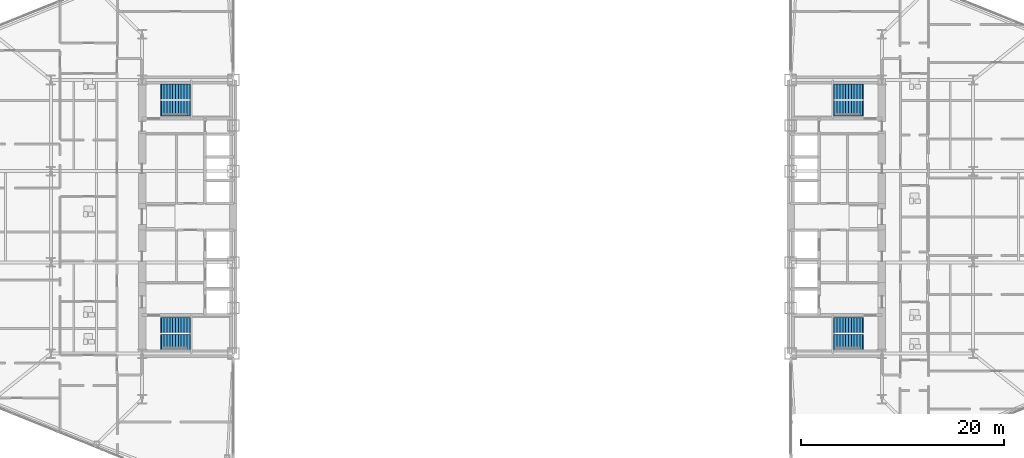
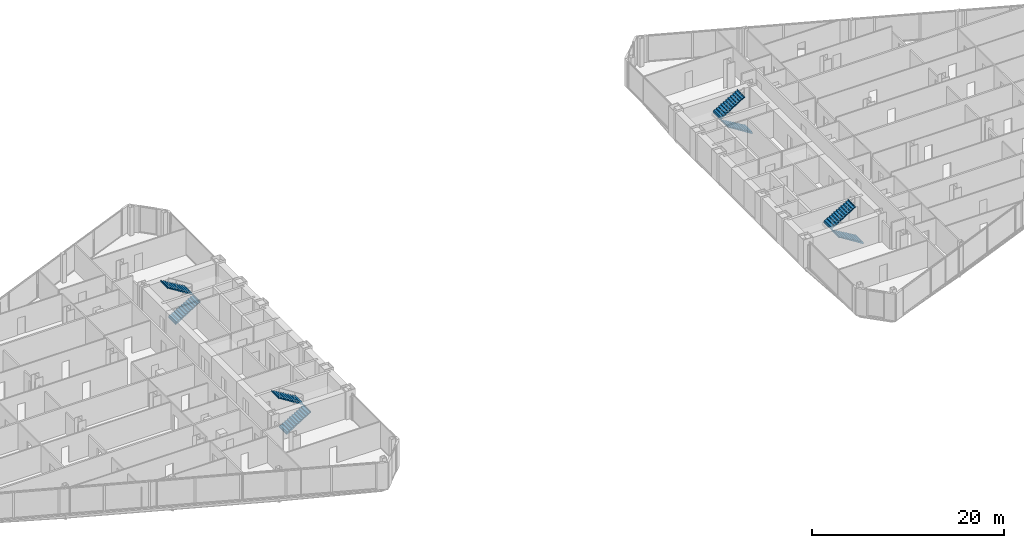
# One storey, part 23 of 25: 8 stair flights, 4 elements without a shape of their own.
"""IFC4 building model written with IfcOpenShell, lengths in metres."""

from ifc_helpers import new_model, si_unit, direction, frame, origin, place, context, subcontext, project, spatial, polyline, outline, extrude, material, type_object, element, aggregate, save


model = new_model("IFC4")

# Units and contexts
model_context = context("Model", 3, precision=1e-05, world=origin(), true_north=direction((0.0, 1.0)))
body_context = subcontext(model_context, "Body", "Model", "MODEL_VIEW")
ifc_project = project(units=[si_unit("LENGTHUNIT", "METRE"), si_unit("AREAUNIT", "SQUARE_METRE"), si_unit("VOLUMEUNIT", "CUBIC_METRE"), si_unit("PLANEANGLEUNIT", "RADIAN"), si_unit("MASSUNIT", "GRAM", prefix="KILO")], contexts=[model_context])

# Site, building, storey
site_placement = place(None, origin())
site = spatial("IfcSite", under=ifc_project, at=site_placement, CompositionType="ELEMENT")
building_placement = place(site_placement, origin())
building = spatial("IfcBuilding", under=site, at=building_placement, Name="Seokmaru Belvedere", CompositionType="ELEMENT")
storey_placement = place(building_placement, frame((0.0, 0.0, 40.5)))
storey = spatial("IfcBuildingStorey", under=building, at=storey_placement, Name="L10", CompositionType="ELEMENT", Elevation=40.5)

# Stair, stair flights
ifc_material = material(Name="Concrete C40 (40 MPa)", Category="concrete")
stair_type = type_object("IfcStairType", Name="Typical Tower Core Dog-Leg Stair 3600", PredefinedType="TWO_STRAIGHT_RUN_STAIR", material=ifc_material)
stair_1_placement = place(storey_placement, origin())
stair_1 = element("IfcStair", 1, at=stair_1_placement, inside=storey, type_object=stair_type, Name="L10 Special Escape Stair ST-W1", PredefinedType="TWO_STRAIGHT_RUN_STAIR")
stair_flight_type = type_object("IfcStairFlightType", Name="Reinforced Concrete Stair Flight 1500", PredefinedType="STRAIGHT", material=ifc_material)
stair_flight_1_placement = place(storey_placement, frame((-34.60009765625, -12.35009765625, 0.0), z_axis=(0.0, 0.0, 1.0), x_axis=(1.0, 0.0, 0.0)))
stair_flight_1 = element("IfcStairFlight", 2, at=stair_flight_1_placement, type_object=stair_flight_type, Name="ST-W1 flight 1", NumberOfRisers=11, NumberOfTreads=10, PredefinedType="STRAIGHT", RiserHeight=0.163636364, TreadLength=0.28, context=body_context, shape_type="SweptSolid", body=[
    extrude(outline(polyline([(-0.080078125, 0.0), (0.0, 0.16357421875), (0.280029296875, 0.16357421875), (0.280029296875, 0.327392578125), (0.56005859375, 0.327392578125), (0.56005859375, 0.490966796875), (0.840087890625, 0.490966796875), (0.840087890625, 0.654541015625), (1.1201171875, 0.654541015625), (1.1201171875, 0.818115234375), (1.39990234375, 0.818115234375), (1.39990234375, 0.98193359375), (1.679931640625, 0.98193359375), (1.679931640625, 1.1455078125), (1.9599609375, 1.1455078125), (1.9599609375, 1.30908203125), (2.239990234375, 1.30908203125), (2.239990234375, 1.47265625), (2.52001953125, 1.47265625), (2.52001953125, 1.636474609375), (2.800048828125, 1.636474609375), (2.800048828125, 1.800048828125), (2.8798828125, 1.800048828125), (2.8798828125, 1.610107421875), (2.800048828125, 1.610107421875), (0.0, -0.159912109375), (-0.080078125, -0.159912109375), (-0.080078125, 0.0)])), frame((0.0, 0.75, 0.0), z_axis=(0.0, -1.0, 0.0), x_axis=(1.0, 0.0, 0.0)), (0.0, 0.0, 1.0), 1.5),
])
stair_flight_2_placement = place(storey_placement, frame((-31.800048828125, -10.7099609375, 1.800048828125), z_axis=(0.0, 0.0, 1.0), x_axis=(-1.0, 0.0, 0.0)))
stair_flight_2 = element("IfcStairFlight", 3, at=stair_flight_2_placement, type_object=stair_flight_type, Name="ST-W1 flight 2", NumberOfRisers=11, NumberOfTreads=10, PredefinedType="STRAIGHT", RiserHeight=0.163636364, TreadLength=0.28, context=body_context, shape_type="SweptSolid", body=[
    extrude(outline(polyline([(-0.080078125, 0.0), (0.0, 0.16357421875), (0.280029296875, 0.16357421875), (0.280029296875, 0.327392578125), (0.56005859375, 0.327392578125), (0.56005859375, 0.490966796875), (0.840087890625, 0.490966796875), (0.840087890625, 0.654541015625), (1.1201171875, 0.654541015625), (1.1201171875, 0.818115234375), (1.39990234375, 0.818115234375), (1.39990234375, 0.98193359375), (1.679931640625, 0.98193359375), (1.679931640625, 1.1455078125), (1.9599609375, 1.1455078125), (1.9599609375, 1.30908203125), (2.239990234375, 1.30908203125), (2.239990234375, 1.47265625), (2.52001953125, 1.47265625), (2.52001953125, 1.636474609375), (2.800048828125, 1.636474609375), (2.800048828125, 1.800048828125), (2.8798828125, 1.800048828125), (2.8798828125, 1.610107421875), (2.800048828125, 1.610107421875), (0.0, -0.159912109375), (-0.080078125, -0.159912109375), (-0.080078125, 0.0)])), frame((0.0, 0.75, 0.0), z_axis=(0.0, -1.0, 0.0), x_axis=(1.0, 0.0, 0.0)), (0.0, 0.0, 1.0), 1.5),
])
aggregate(stair_1, [stair_flight_1, stair_flight_2])

stair_2_placement = place(storey_placement, origin())
stair_2 = element("IfcStair", 4, at=stair_2_placement, inside=storey, type_object=stair_type, Name="L10 Special Escape Stair ST-W2", PredefinedType="TWO_STRAIGHT_RUN_STAIR")
stair_flight_3_placement = place(storey_placement, frame((-34.60009765625, 10.7099609375, 0.0), z_axis=(0.0, 0.0, 1.0), x_axis=(1.0, 0.0, 0.0)))
stair_flight_3 = element("IfcStairFlight", 5, at=stair_flight_3_placement, type_object=stair_flight_type, Name="ST-W2 flight 1", NumberOfRisers=11, NumberOfTreads=10, PredefinedType="STRAIGHT", RiserHeight=0.163636364, TreadLength=0.28, context=body_context, shape_type="SweptSolid", body=[
    extrude(outline(polyline([(-0.080078125, 0.0), (0.0, 0.16357421875), (0.280029296875, 0.16357421875), (0.280029296875, 0.327392578125), (0.56005859375, 0.327392578125), (0.56005859375, 0.490966796875), (0.840087890625, 0.490966796875), (0.840087890625, 0.654541015625), (1.1201171875, 0.654541015625), (1.1201171875, 0.818115234375), (1.39990234375, 0.818115234375), (1.39990234375, 0.98193359375), (1.679931640625, 0.98193359375), (1.679931640625, 1.1455078125), (1.9599609375, 1.1455078125), (1.9599609375, 1.30908203125), (2.239990234375, 1.30908203125), (2.239990234375, 1.47265625), (2.52001953125, 1.47265625), (2.52001953125, 1.636474609375), (2.800048828125, 1.636474609375), (2.800048828125, 1.800048828125), (2.8798828125, 1.800048828125), (2.8798828125, 1.610107421875), (2.800048828125, 1.610107421875), (0.0, -0.159912109375), (-0.080078125, -0.159912109375), (-0.080078125, 0.0)])), frame((0.0, 0.75, 0.0), z_axis=(0.0, -1.0, 0.0), x_axis=(1.0, 0.0, 0.0)), (0.0, 0.0, 1.0), 1.5),
])
stair_flight_4_placement = place(storey_placement, frame((-31.800048828125, 12.35009765625, 1.800048828125), z_axis=(0.0, 0.0, 1.0), x_axis=(-1.0, 0.0, 0.0)))
stair_flight_4 = element("IfcStairFlight", 6, at=stair_flight_4_placement, type_object=stair_flight_type, Name="ST-W2 flight 2", NumberOfRisers=11, NumberOfTreads=10, PredefinedType="STRAIGHT", RiserHeight=0.163636364, TreadLength=0.28, context=body_context, shape_type="SweptSolid", body=[
    extrude(outline(polyline([(-0.080078125, 0.0), (0.0, 0.16357421875), (0.280029296875, 0.16357421875), (0.280029296875, 0.327392578125), (0.56005859375, 0.327392578125), (0.56005859375, 0.490966796875), (0.840087890625, 0.490966796875), (0.840087890625, 0.654541015625), (1.1201171875, 0.654541015625), (1.1201171875, 0.818115234375), (1.39990234375, 0.818115234375), (1.39990234375, 0.98193359375), (1.679931640625, 0.98193359375), (1.679931640625, 1.1455078125), (1.9599609375, 1.1455078125), (1.9599609375, 1.30908203125), (2.239990234375, 1.30908203125), (2.239990234375, 1.47265625), (2.52001953125, 1.47265625), (2.52001953125, 1.636474609375), (2.800048828125, 1.636474609375), (2.800048828125, 1.800048828125), (2.8798828125, 1.800048828125), (2.8798828125, 1.610107421875), (2.800048828125, 1.610107421875), (0.0, -0.159912109375), (-0.080078125, -0.159912109375), (-0.080078125, 0.0)])), frame((0.0, 0.75, 0.0), z_axis=(0.0, -1.0, 0.0), x_axis=(1.0, 0.0, 0.0)), (0.0, 0.0, 1.0), 1.5),
])
aggregate(stair_2, [stair_flight_3, stair_flight_4])

stair_3_placement = place(storey_placement, origin())
stair_3 = element("IfcStair", 7, at=stair_3_placement, inside=storey, type_object=stair_type, Name="L10 Special Escape Stair ST-E1", PredefinedType="TWO_STRAIGHT_RUN_STAIR")
stair_flight_5_placement = place(storey_placement, frame((34.60009765625, -12.35009765625, 0.0), z_axis=(0.0, 0.0, 1.0), x_axis=(-1.0, 0.0, 0.0)))
stair_flight_5 = element("IfcStairFlight", 8, at=stair_flight_5_placement, type_object=stair_flight_type, Name="ST-E1 flight 1", NumberOfRisers=11, NumberOfTreads=10, PredefinedType="STRAIGHT", RiserHeight=0.163636364, TreadLength=0.28, context=body_context, shape_type="SweptSolid", body=[
    extrude(outline(polyline([(-0.080078125, 0.0), (0.0, 0.16357421875), (0.280029296875, 0.16357421875), (0.280029296875, 0.327392578125), (0.56005859375, 0.327392578125), (0.56005859375, 0.490966796875), (0.840087890625, 0.490966796875), (0.840087890625, 0.654541015625), (1.1201171875, 0.654541015625), (1.1201171875, 0.818115234375), (1.39990234375, 0.818115234375), (1.39990234375, 0.98193359375), (1.679931640625, 0.98193359375), (1.679931640625, 1.1455078125), (1.9599609375, 1.1455078125), (1.9599609375, 1.30908203125), (2.239990234375, 1.30908203125), (2.239990234375, 1.47265625), (2.52001953125, 1.47265625), (2.52001953125, 1.636474609375), (2.800048828125, 1.636474609375), (2.800048828125, 1.800048828125), (2.8798828125, 1.800048828125), (2.8798828125, 1.610107421875), (2.800048828125, 1.610107421875), (0.0, -0.159912109375), (-0.080078125, -0.159912109375), (-0.080078125, 0.0)])), frame((0.0, 0.75, 0.0), z_axis=(0.0, -1.0, 0.0), x_axis=(1.0, 0.0, 0.0)), (0.0, 0.0, 1.0), 1.5),
])
stair_flight_6_placement = place(storey_placement, frame((31.800048828125, -10.7099609375, 1.800048828125), z_axis=(0.0, 0.0, 1.0), x_axis=(1.0, 0.0, 0.0)))
stair_flight_6 = element("IfcStairFlight", 9, at=stair_flight_6_placement, type_object=stair_flight_type, Name="ST-E1 flight 2", NumberOfRisers=11, NumberOfTreads=10, PredefinedType="STRAIGHT", RiserHeight=0.163636364, TreadLength=0.28, context=body_context, shape_type="SweptSolid", body=[
    extrude(outline(polyline([(-0.080078125, 0.0), (0.0, 0.16357421875), (0.280029296875, 0.16357421875), (0.280029296875, 0.327392578125), (0.56005859375, 0.327392578125), (0.56005859375, 0.490966796875), (0.840087890625, 0.490966796875), (0.840087890625, 0.654541015625), (1.1201171875, 0.654541015625), (1.1201171875, 0.818115234375), (1.39990234375, 0.818115234375), (1.39990234375, 0.98193359375), (1.679931640625, 0.98193359375), (1.679931640625, 1.1455078125), (1.9599609375, 1.1455078125), (1.9599609375, 1.30908203125), (2.239990234375, 1.30908203125), (2.239990234375, 1.47265625), (2.52001953125, 1.47265625), (2.52001953125, 1.636474609375), (2.800048828125, 1.636474609375), (2.800048828125, 1.800048828125), (2.8798828125, 1.800048828125), (2.8798828125, 1.610107421875), (2.800048828125, 1.610107421875), (0.0, -0.159912109375), (-0.080078125, -0.159912109375), (-0.080078125, 0.0)])), frame((0.0, 0.75, 0.0), z_axis=(0.0, -1.0, 0.0), x_axis=(1.0, 0.0, 0.0)), (0.0, 0.0, 1.0), 1.5),
])
aggregate(stair_3, [stair_flight_5, stair_flight_6])

stair_4_placement = place(storey_placement, origin())
stair_4 = element("IfcStair", 10, at=stair_4_placement, inside=storey, type_object=stair_type, Name="L10 Special Escape Stair ST-E2", PredefinedType="TWO_STRAIGHT_RUN_STAIR")
stair_flight_7_placement = place(storey_placement, frame((34.60009765625, 10.7099609375, 0.0), z_axis=(0.0, 0.0, 1.0), x_axis=(-1.0, 0.0, 0.0)))
stair_flight_7 = element("IfcStairFlight", 11, at=stair_flight_7_placement, type_object=stair_flight_type, Name="ST-E2 flight 1", NumberOfRisers=11, NumberOfTreads=10, PredefinedType="STRAIGHT", RiserHeight=0.163636364, TreadLength=0.28, context=body_context, shape_type="SweptSolid", body=[
    extrude(outline(polyline([(-0.080078125, 0.0), (0.0, 0.16357421875), (0.280029296875, 0.16357421875), (0.280029296875, 0.327392578125), (0.56005859375, 0.327392578125), (0.56005859375, 0.490966796875), (0.840087890625, 0.490966796875), (0.840087890625, 0.654541015625), (1.1201171875, 0.654541015625), (1.1201171875, 0.818115234375), (1.39990234375, 0.818115234375), (1.39990234375, 0.98193359375), (1.679931640625, 0.98193359375), (1.679931640625, 1.1455078125), (1.9599609375, 1.1455078125), (1.9599609375, 1.30908203125), (2.239990234375, 1.30908203125), (2.239990234375, 1.47265625), (2.52001953125, 1.47265625), (2.52001953125, 1.636474609375), (2.800048828125, 1.636474609375), (2.800048828125, 1.800048828125), (2.8798828125, 1.800048828125), (2.8798828125, 1.610107421875), (2.800048828125, 1.610107421875), (0.0, -0.159912109375), (-0.080078125, -0.159912109375), (-0.080078125, 0.0)])), frame((0.0, 0.75, 0.0), z_axis=(0.0, -1.0, 0.0), x_axis=(1.0, 0.0, 0.0)), (0.0, 0.0, 1.0), 1.5),
])
stair_flight_8_placement = place(storey_placement, frame((31.800048828125, 12.35009765625, 1.800048828125), z_axis=(0.0, 0.0, 1.0), x_axis=(1.0, 0.0, 0.0)))
stair_flight_8 = element("IfcStairFlight", 12, at=stair_flight_8_placement, type_object=stair_flight_type, Name="ST-E2 flight 2", NumberOfRisers=11, NumberOfTreads=10, PredefinedType="STRAIGHT", RiserHeight=0.163636364, TreadLength=0.28, context=body_context, shape_type="SweptSolid", body=[
    extrude(outline(polyline([(-0.080078125, 0.0), (0.0, 0.16357421875), (0.280029296875, 0.16357421875), (0.280029296875, 0.327392578125), (0.56005859375, 0.327392578125), (0.56005859375, 0.490966796875), (0.840087890625, 0.490966796875), (0.840087890625, 0.654541015625), (1.1201171875, 0.654541015625), (1.1201171875, 0.818115234375), (1.39990234375, 0.818115234375), (1.39990234375, 0.98193359375), (1.679931640625, 0.98193359375), (1.679931640625, 1.1455078125), (1.9599609375, 1.1455078125), (1.9599609375, 1.30908203125), (2.239990234375, 1.30908203125), (2.239990234375, 1.47265625), (2.52001953125, 1.47265625), (2.52001953125, 1.636474609375), (2.800048828125, 1.636474609375), (2.800048828125, 1.800048828125), (2.8798828125, 1.800048828125), (2.8798828125, 1.610107421875), (2.800048828125, 1.610107421875), (0.0, -0.159912109375), (-0.080078125, -0.159912109375), (-0.080078125, 0.0)])), frame((0.0, 0.75, 0.0), z_axis=(0.0, -1.0, 0.0), x_axis=(1.0, 0.0, 0.0)), (0.0, 0.0, 1.0), 1.5),
])
aggregate(stair_4, [stair_flight_7, stair_flight_8])

save(model, "model.ifc")
